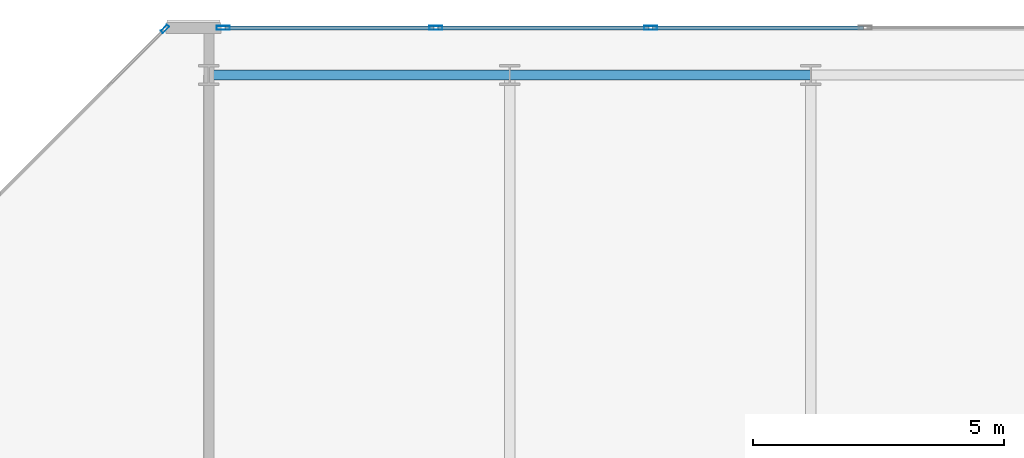
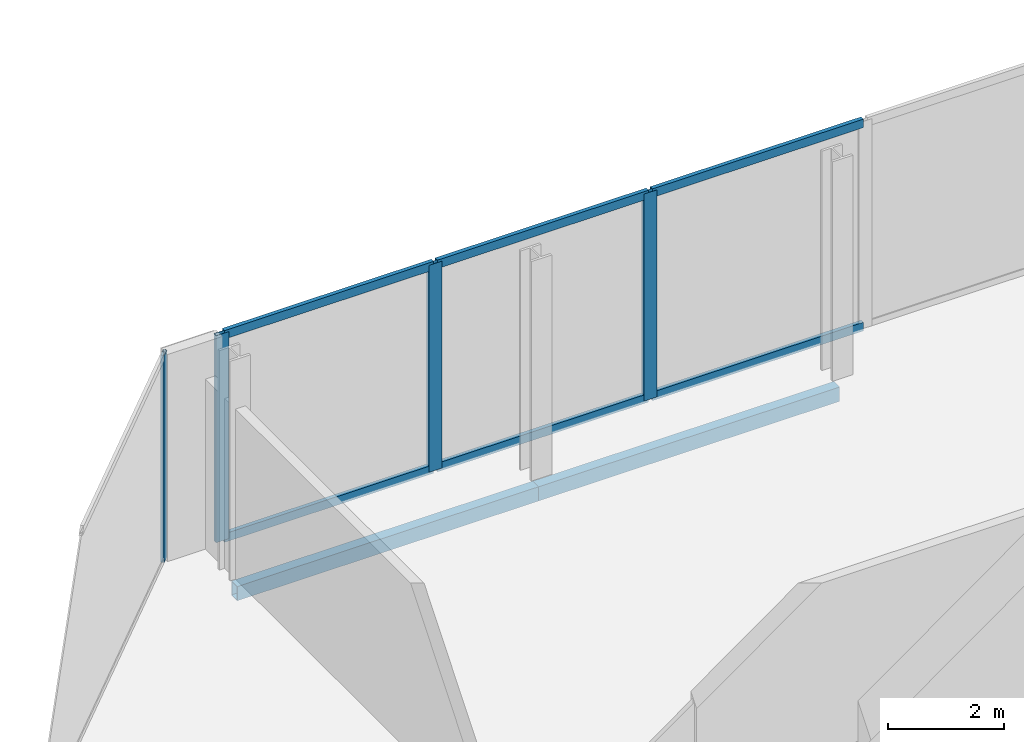
# One storey, part 10 of 16: 10 members, 2 beams, 2 elements without a shape of their own.
"""IFC4 building model written with IfcOpenShell, lengths in metres."""

from ifc_helpers import new_model, si_unit, direction, frame, origin, origin_2d, place, context, subcontext, project, spatial, hollow_rectangle, extrude, material, layer, layer_set, material_profile, profile_set, type_object, element, aggregate, save


model = new_model("IFC4")

# Units and contexts
model_context = context("Model", 3, precision=1e-05, world=origin(), true_north=direction((0.0, 1.0)))
body_context = subcontext(model_context, "Body", "Model", "MODEL_VIEW")
ifc_project = project(units=[si_unit("LENGTHUNIT", "METRE"), si_unit("AREAUNIT", "SQUARE_METRE"), si_unit("VOLUMEUNIT", "CUBIC_METRE"), si_unit("PLANEANGLEUNIT", "RADIAN"), si_unit("MASSUNIT", "GRAM", prefix="KILO")], contexts=[model_context])

# Site, building, storey
site_placement = place(None, origin())
site = spatial("IfcSite", under=ifc_project, at=site_placement, CompositionType="ELEMENT")
building_placement = place(site_placement, origin())
building = spatial("IfcBuilding", under=site, at=building_placement, Name="Tanjung Sevakor Pilgrim Tower", CompositionType="ELEMENT")
storey_placement = place(building_placement, frame((0.0, 0.0, 283.139892578125)))
storey = spatial("IfcBuildingStorey", under=building, at=storey_placement, Name="L79", CompositionType="ELEMENT", Elevation=283.139892578125)

# Beams
ifc_material_1 = material(Name="Steel S355J2", Category="steel")
ifc_material_profile_1 = material_profile(ifc_material_1, hollow_rectangle(XDim=0.199951171875, YDim=0.300048828125, WallThickness=0.012451171875, at=origin_2d()))
ifc_profile_set_1 = profile_set([ifc_material_profile_1], Name="Steel S355J2")
beam_type = type_object("IfcBeamType", Name="BM-B-SP3-RHS_300x200x12.5", PredefinedType="SPANDREL", material=ifc_profile_set_1)
for number, where, z_axis, x_axis, name in (
    (1, (72.0, 53.949951171875, -0.409912109375), (1.0, 0.0, 0.0), (0.0, 1.0, 0.0), "L79 Spandrel EAST N-02"),
    (2, (78.0, 53.949951171875, -0.409912109375), (1.0, 0.0, 0.0), (0.0, 1.0, 0.0), "L79 Spandrel EAST N-04"),
):
    element("IfcBeam", number, at=place(storey_placement, frame(where, z_axis=z_axis, x_axis=x_axis)), inside=storey, type_object=beam_type, Name=name, PredefinedType="SPANDREL", context=body_context, shape_type="SweptSolid", body=[
        extrude(hollow_rectangle(XDim=0.199951171875, YDim=0.300048828125, WallThickness=0.012451171875, at=origin_2d()), origin(), (0.0, 0.0, 1.0), 6.0),
    ])

# Curtain wall, member
ifc_material_2 = material(Name="Aluminium 6063-T6 and Low-E Glass", Category="aluminium")
ifc_layer_1 = layer(ifc_material_2, 0.179931640625)
ifc_layer_set_1 = layer_set([ifc_layer_1], Name="CW-SYS-CHAM")
curtain_wall_type_1 = type_object("IfcCurtainWallType", Name="CW-SYS-CHAM", PredefinedType="NOTDEFINED", material=ifc_layer_set_1)
curtain_wall_1_placement = place(storey_placement, origin())
curtain_wall_1 = element("IfcCurtainWall", 3, at=curtain_wall_1_placement, inside=storey, type_object=curtain_wall_type_1, Name="L79 Curtain Wall CW-CHM-L79-EAST-5", PredefinedType="NOTDEFINED")
ifc_material_3 = material(Name="Aluminium 6063-T6", Category="aluminium")
ifc_material_profile_2 = material_profile(ifc_material_3, hollow_rectangle(XDim=0.06494140625, YDim=0.179931640625, WallThickness=0.00390625, at=origin_2d()))
ifc_profile_set_2 = profile_set([ifc_material_profile_2], Name="Aluminium 6063-T6")
member_type_1 = type_object("IfcMemberType", Name="TYPE-CWM-1", PredefinedType="MULLION", material=ifc_profile_set_2)
member_1_placement = place(storey_placement, frame((71.12255859375, 54.866943359375, 0.0), z_axis=(0.0, 0.0, 1.0), x_axis=(0.707106781187, -0.707106781187, 0.0)))
member_1 = element("IfcMember", 4, at=member_1_placement, type_object=member_type_1, Name="CW-CHM mullion 1", PredefinedType="MULLION", context=body_context, shape_type="SweptSolid", body=[
    extrude(hollow_rectangle(XDim=0.06494140625, YDim=0.179931640625, WallThickness=0.00390625, at=origin_2d()), origin(), (0.0, 0.0, 1.0), 4.360107421875),
])
aggregate(curtain_wall_1, [member_1])

# Curtain wall, members
ifc_material_4 = material(Name="Aluminium 6063-T6 and Low-E Glass", Category="aluminium")
ifc_layer_2 = layer(ifc_material_4, 0.219970703125)
ifc_layer_set_2 = layer_set([ifc_layer_2], Name="CW-SYS-CRNE")
curtain_wall_type_2 = type_object("IfcCurtainWallType", Name="CW-SYS-CRNE", PredefinedType="NOTDEFINED", material=ifc_layer_set_2)
curtain_wall_2_placement = place(storey_placement, origin())
curtain_wall_2 = element("IfcCurtainWall", 5, at=curtain_wall_2_placement, inside=storey, type_object=curtain_wall_type_2, Name="L79 Curtain Wall CW-CRN-L79-EAST-4-1", PredefinedType="NOTDEFINED")
ifc_material_5 = material(Name="Aluminium 6063-T6", Category="aluminium")
ifc_material_profile_3 = material_profile(ifc_material_5, hollow_rectangle(XDim=0.080078125, YDim=0.260009765625, WallThickness=0.0048828125, at=origin_2d()))
ifc_profile_set_3 = profile_set([ifc_material_profile_3], Name="Aluminium 6063-T6")
member_type_2 = type_object("IfcMemberType", Name="TYPE-CWM-3", PredefinedType="MULLION", material=ifc_profile_set_3)
member_2_placement = place(storey_placement, frame((80.80908203125, 54.889892578125, 0.0), z_axis=(0.0, 0.0, 1.0), x_axis=(0.0, -1.0, 0.0)))
member_2 = element("IfcMember", 6, at=member_2_placement, type_object=member_type_2, Name="CW-CRE mullion 4", PredefinedType="MULLION", context=body_context, shape_type="SweptSolid", body=[
    extrude(hollow_rectangle(XDim=0.080078125, YDim=0.260009765625, WallThickness=0.0048828125, at=origin_2d()), origin(), (0.0, 0.0, 1.0), 4.360107421875),
])
member_3_placement = place(storey_placement, frame((76.52734375, 54.889892578125, 0.0), z_axis=(0.0, 0.0, 1.0), x_axis=(0.0, -1.0, 0.0)))
member_3 = element("IfcMember", 7, at=member_3_placement, type_object=member_type_2, Name="CW-CRE mullion 5", PredefinedType="MULLION", context=body_context, shape_type="SweptSolid", body=[
    extrude(hollow_rectangle(XDim=0.080078125, YDim=0.260009765625, WallThickness=0.0048828125, at=origin_2d()), origin(), (0.0, 0.0, 1.0), 4.360107421875),
])
member_4_placement = place(storey_placement, frame((72.28564453125, 54.889892578125, 0.0), z_axis=(0.0, 0.0, 1.0), x_axis=(0.0, -1.0, 0.0)))
member_4 = element("IfcMember", 8, at=member_4_placement, type_object=member_type_2, Name="CW-CRE mullion 6", PredefinedType="MULLION", context=body_context, shape_type="SweptSolid", body=[
    extrude(hollow_rectangle(XDim=0.080078125, YDim=0.260009765625, WallThickness=0.0048828125, at=origin_2d()), origin(), (0.0, 0.0, 1.0), 4.360107421875),
])
ifc_material_6 = material(Name="Aluminium 6063-T6", Category="aluminium")
ifc_material_profile_4 = material_profile(ifc_material_6, hollow_rectangle(XDim=0.080078125, YDim=0.179931640625, WallThickness=0.0048828125, at=origin_2d()))
ifc_profile_set_4 = profile_set([ifc_material_profile_4], Name="Aluminium 6063-T6")
member_type_3 = type_object("IfcMemberType", Name="TYPE-CWT-3", PredefinedType="USERDEFINED", material=ifc_profile_set_4)
member_5_placement = place(storey_placement, frame((85.05078125, 54.889892578125, 0.0400390625), z_axis=(-1.0, 0.0, 0.0), x_axis=(0.0, -1.0, 0.0)))
member_5 = element("IfcMember", 9, at=member_5_placement, type_object=member_type_3, Name="CW-CRE transom 3.1", ObjectType="TRANSOM", PredefinedType="USERDEFINED", context=body_context, shape_type="SweptSolid", body=[
    extrude(hollow_rectangle(XDim=0.080078125, YDim=0.179931640625, WallThickness=0.0048828125, at=origin_2d()), origin(), (0.0, 0.0, 1.0), 4.20166015625),
])
member_6_placement = place(storey_placement, frame((85.05078125, 54.889892578125, 4.320068359375), z_axis=(-1.0, 0.0, 0.0), x_axis=(0.0, -1.0, 0.0)))
member_6 = element("IfcMember", 10, at=member_6_placement, type_object=member_type_3, Name="CW-CRE transom 3.2", ObjectType="TRANSOM", PredefinedType="USERDEFINED", context=body_context, shape_type="SweptSolid", body=[
    extrude(hollow_rectangle(XDim=0.080078125, YDim=0.179931640625, WallThickness=0.0048828125, at=origin_2d()), origin(), (0.0, 0.0, 1.0), 4.20166015625),
])
member_7_placement = place(storey_placement, frame((80.76904296875, 54.889892578125, 0.0400390625), z_axis=(-1.0, 0.0, 0.0), x_axis=(0.0, -1.0, 0.0)))
member_7 = element("IfcMember", 11, at=member_7_placement, type_object=member_type_3, Name="CW-CRE transom 4.1", ObjectType="TRANSOM", PredefinedType="USERDEFINED", context=body_context, shape_type="SweptSolid", body=[
    extrude(hollow_rectangle(XDim=0.080078125, YDim=0.179931640625, WallThickness=0.0048828125, at=origin_2d()), origin(), (0.0, 0.0, 1.0), 4.20166015625),
])
member_8_placement = place(storey_placement, frame((80.76904296875, 54.889892578125, 4.320068359375), z_axis=(-1.0, 0.0, 0.0), x_axis=(0.0, -1.0, 0.0)))
member_8 = element("IfcMember", 12, at=member_8_placement, type_object=member_type_3, Name="CW-CRE transom 4.2", ObjectType="TRANSOM", PredefinedType="USERDEFINED", context=body_context, shape_type="SweptSolid", body=[
    extrude(hollow_rectangle(XDim=0.080078125, YDim=0.179931640625, WallThickness=0.0048828125, at=origin_2d()), origin(), (0.0, 0.0, 1.0), 4.20166015625),
])
member_9_placement = place(storey_placement, frame((76.4873046875, 54.889892578125, 0.0400390625), z_axis=(-1.0, 0.0, 0.0), x_axis=(0.0, -1.0, 0.0)))
member_9 = element("IfcMember", 13, at=member_9_placement, type_object=member_type_3, Name="CW-CRE transom 5.1", ObjectType="TRANSOM", PredefinedType="USERDEFINED", context=body_context, shape_type="SweptSolid", body=[
    extrude(hollow_rectangle(XDim=0.080078125, YDim=0.179931640625, WallThickness=0.0048828125, at=origin_2d()), origin(), (0.0, 0.0, 1.0), 4.16162109375),
])
member_10_placement = place(storey_placement, frame((76.4873046875, 54.889892578125, 4.320068359375), z_axis=(-1.0, 0.0, 0.0), x_axis=(0.0, -1.0, 0.0)))
member_10 = element("IfcMember", 14, at=member_10_placement, type_object=member_type_3, Name="CW-CRE transom 5.2", ObjectType="TRANSOM", PredefinedType="USERDEFINED", context=body_context, shape_type="SweptSolid", body=[
    extrude(hollow_rectangle(XDim=0.080078125, YDim=0.179931640625, WallThickness=0.0048828125, at=origin_2d()), origin(), (0.0, 0.0, 1.0), 4.16162109375),
])
aggregate(curtain_wall_2, [member_2, member_3, member_4, member_5, member_6, member_7, member_8, member_9, member_10])

save(model, "model.ifc")
